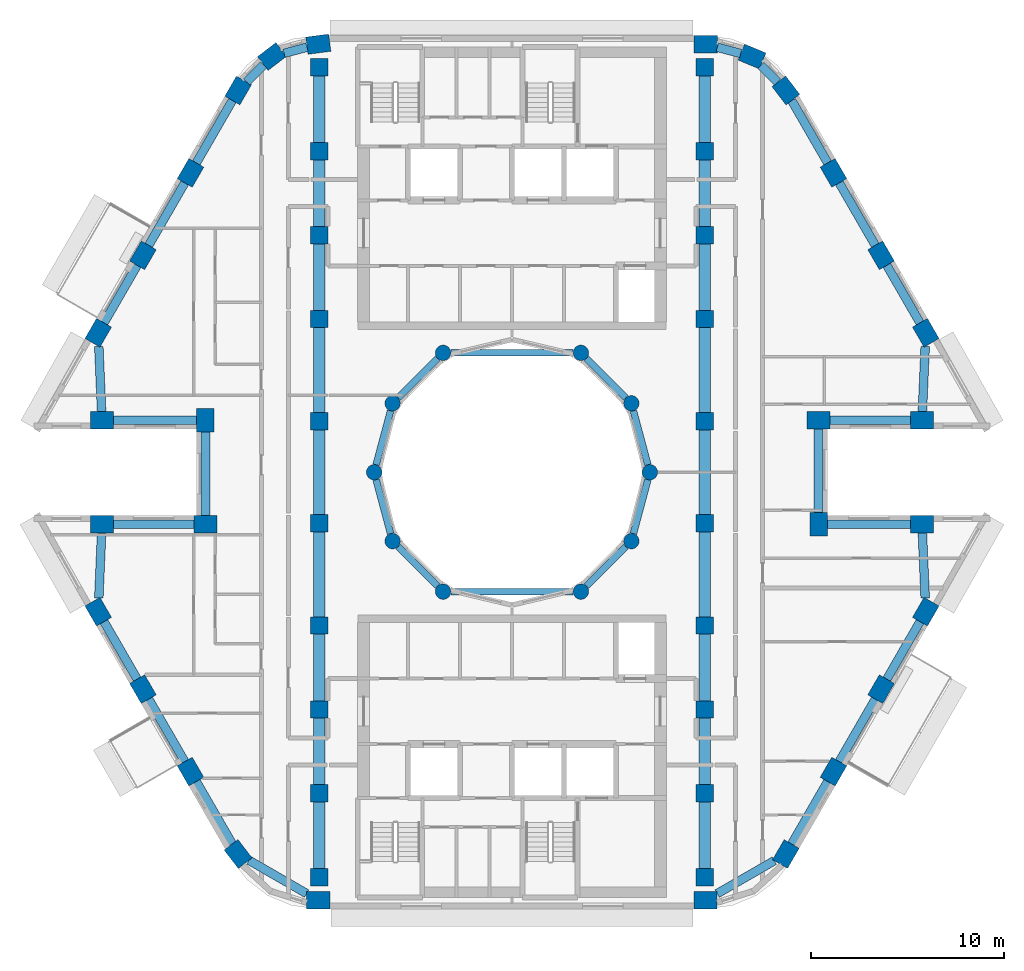
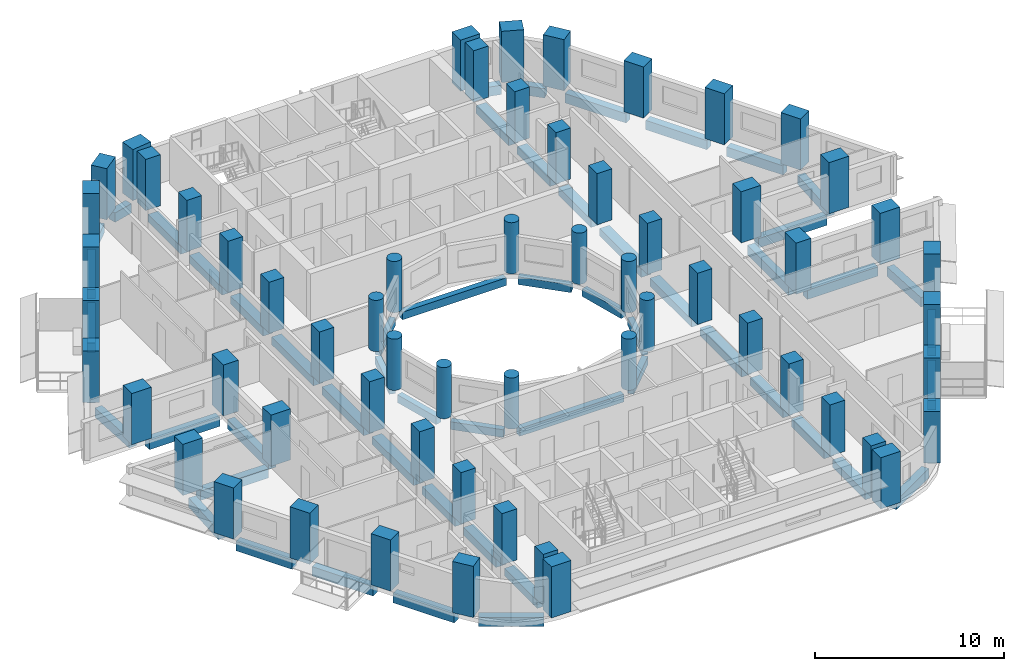
# One storey, part 1 of 17: 60 columns, 56 beams.
"""IFC4 building model written with IfcOpenShell, lengths in metres."""

import ifcopenshell
import ifcopenshell.guid

model = None  # the IFC model being written
_history = None  # IfcOwnerHistory: only IFC2X3 demands one
_inside = {}  # id of a spatial element -> (the spatial element, [elements in it])
_under = {}  # id of a project, library or spatial element -> (it, [spatial elements below it])
_declared = {}  # id of a project -> (the project, [libraries it declares])
_typed = {}  # id of a type object -> (the type object, [elements of that type])
_made_of = {}  # id of a material, layer set ... -> (it, [elements and type objects made of it])


def new_model(schema):
    """Start an empty IFC model of exactly this schema.

    Asked for "IFC4X3", IfcOpenShell would pick the latest addendum, in which some entities
    have other attributes; the version numbers below select the first issue.
    IFC2X3 requires an IfcOwnerHistory on every rooted entity: one is made here for all.
    """
    global model, _history
    if schema == "IFC4X3":
        model = ifcopenshell.file(schema_version=(4, 3, 0, 0))
    else:
        model = ifcopenshell.file(schema=schema)
    _inside.clear()
    _under.clear()
    _declared.clear()
    _typed.clear()
    _made_of.clear()
    _history = None
    if model.schema == "IFC2X3":
        org = make("IfcOrganization", Name="unknown")
        user = make(
            "IfcPersonAndOrganization",
            ThePerson=make("IfcPerson", FamilyName="unknown"),
            TheOrganization=org,
        )
        app = make(
            "IfcApplication",
            ApplicationDeveloper=org,
            Version="unknown",
            ApplicationFullName="unknown",
            ApplicationIdentifier="unknown",
        )
        _history = make(
            "IfcOwnerHistory",
            OwningUser=user,
            OwningApplication=app,
            ChangeAction="ADDED",
            CreationDate=0,
        )
    return model


def make(cls, **values):
    """One entity of the class cls with the attributes given. An attribute that is None is left unset."""
    return model.create_entity(
        cls, **{name: value for name, value in values.items() if value is not None}
    )


def rooted(cls, **values):
    """An entity with a GlobalId (a new one), such as an element, a storey or a relation."""
    return make(cls, GlobalId=ifcopenshell.guid.new(), OwnerHistory=_history, **values)


def si_unit(unit_type, name, prefix=None):
    """IfcSIUnit, for example si_unit("LENGTHUNIT", "METRE", prefix="MILLI")."""
    return make("IfcSIUnit", UnitType=unit_type, Prefix=prefix, Name=name)


def assignment(units):
    """IfcUnitAssignment: the units of a project."""
    return None if units is None else make("IfcUnitAssignment", Units=units)


def point(xyz):
    """IfcCartesianPoint."""
    return None if xyz is None else make("IfcCartesianPoint", Coordinates=xyz)


def direction(xyz):
    """IfcDirection."""
    return None if xyz is None else make("IfcDirection", DirectionRatios=xyz)


def frame(location, z_axis=None, x_axis=None):
    """IfcAxis2Placement3D, a coordinate frame: its origin and axes. An axis left out is left unset."""
    return make(
        "IfcAxis2Placement3D",
        Location=point(location),
        Axis=direction(z_axis),
        RefDirection=direction(x_axis),
    )


def frame_2d(location, x_axis=None):
    """IfcAxis2Placement2D, a coordinate frame in the plane: its origin and x axis."""
    return make(
        "IfcAxis2Placement2D", Location=point(location), RefDirection=direction(x_axis)
    )


def origin():
    """The frame at (0, 0, 0) with its axes left unset."""
    return frame((0.0, 0.0, 0.0))


def origin_2d():
    """The frame at (0, 0) in the plane with its x axis left unset."""
    return frame_2d((0.0, 0.0))


def place(relative_to, where):
    """IfcLocalPlacement: puts the frame where relative to a parent placement (None: the world)."""
    return make(
        "IfcLocalPlacement", PlacementRelTo=relative_to, RelativePlacement=where
    )


def context(
    kind, dimensions, precision=None, world=None, true_north=None, identifier=None
):
    """IfcGeometricRepresentationContext, for example the 3D "Model" context."""
    return make(
        "IfcGeometricRepresentationContext",
        ContextIdentifier=identifier,
        ContextType=kind,
        CoordinateSpaceDimension=dimensions,
        Precision=precision,
        WorldCoordinateSystem=world,
        TrueNorth=true_north,
    )


def subcontext(parent, identifier, kind, view, scale=None):
    """IfcGeometricRepresentationSubContext, for example "Body" below "Model"."""
    return make(
        "IfcGeometricRepresentationSubContext",
        ContextIdentifier=identifier,
        ContextType=kind,
        ParentContext=parent,
        TargetScale=scale,
        TargetView=view,
    )


def project(units=None, contexts=None):
    """IfcProject with its units and contexts."""
    return rooted(
        "IfcProject",
        Name="project",
        RepresentationContexts=contexts,
        UnitsInContext=assignment(units),
    )


def spatial(cls, under=None, at=None, **own):
    """A site, building, storey or space (cls), placed at a placement, below another one or the project."""
    s = rooted(cls, ObjectPlacement=at, **own)
    if under is not None:
        _under.setdefault(under.id(), (under, []))[1].append(s)
    return s


def profile(cls, at=None, kind="AREA", **sizes):
    """A parametric profile (cls). Its sizes go by their IFC names, for example OverallWidth=200.0."""
    return make(cls, ProfileType=kind, Position=at, **sizes)


def rectangle(**sizes):
    """IfcRectangleProfileDef."""
    return profile("IfcRectangleProfileDef", **sizes)


def circle(**sizes):
    """IfcCircleProfileDef."""
    return profile("IfcCircleProfileDef", **sizes)


def extrude(swept, where, along, depth):
    """IfcExtrudedAreaSolid: the profile swept, set in the frame where, extruded along a direction by depth."""
    return make(
        "IfcExtrudedAreaSolid",
        SweptArea=swept,
        Position=where,
        ExtrudedDirection=direction(along),
        Depth=depth,
    )


def shape(context_of_items, identifier, shape_type, items):
    """IfcShapeRepresentation: the items that make up one representation, for example the "Body"."""
    return make(
        "IfcShapeRepresentation",
        ContextOfItems=context_of_items,
        RepresentationIdentifier=identifier,
        RepresentationType=shape_type,
        Items=items,
    )


def material(Name=None, Category=None):
    """IfcMaterial."""
    return make("IfcMaterial", Name=Name, Category=Category)


def material_profile(
    of_material, cross_section, Name=None, Category=None, Priority=None
):
    """IfcMaterialProfile: a cross section and its material."""
    return make(
        "IfcMaterialProfile",
        Name=Name,
        Material=of_material,
        Profile=cross_section,
        Priority=Priority,
        Category=Category,
    )


def profile_set(profiles, Name=None, composite=None):
    """IfcMaterialProfileSet."""
    return make(
        "IfcMaterialProfileSet",
        Name=Name,
        MaterialProfiles=profiles,
        CompositeProfile=composite,
    )


def made_of(thing, what):
    """Note that an element or type object is made of a material, layer set ...; save() writes the relation."""
    if what is not None:
        _made_of.setdefault(what.id(), (what, []))[1].append(thing)
    return thing


def type_object(cls, material=None, **own):
    """A type object (cls), such as IfcWallType, which elements share."""
    return made_of(rooted(cls, **own), material)


def element(
    cls,
    number,
    at=None,
    inside=None,
    cuts=None,
    type_object=None,
    material=None,
    context=None,
    identifier="Body",
    shape_type=None,
    held_by="IfcProductDefinitionShape",
    body=None,
    shapes=None,
    **own,
):
    """One element of the class cls, such as IfcWall. Its Tag is "e" and its number.

    at: its placement. inside: the storey or other place that contains it. cuts: it is an
    opening in that element (IfcRelVoidsElement). A single representation is given by context,
    identifier, shape_type and body (its items); several are given by shapes. held_by: the class
    of the entity that holds the representations. save() writes the other relations.
    """
    e = rooted(cls, Tag="e%d" % number, ObjectPlacement=at, **own)
    if body is not None:
        shapes = [shape(context, identifier, shape_type, body)]
    if shapes is not None:
        e.Representation = make(held_by, Representations=shapes)
    if inside is not None:
        _inside.setdefault(inside.id(), (inside, []))[1].append(e)
    if cuts is not None:
        rooted(
            "IfcRelVoidsElement", RelatingBuildingElement=cuts, RelatedOpeningElement=e
        )
    if type_object is not None:
        _typed.setdefault(type_object.id(), (type_object, []))[1].append(e)
    return made_of(e, material)


def aggregate(whole, parts):
    """IfcRelAggregates: a whole, such as a stair, and the parts it consists of."""
    return rooted("IfcRelAggregates", RelatingObject=whole, RelatedObjects=parts)


def save(model, path):
    """Write the relations noted so far, then the file.

    IfcRelAggregates (storeys below a building ...), IfcRelContainedInSpatialStructure (elements
    in a storey), IfcRelDefinesByType, IfcRelAssociatesMaterial and IfcRelDeclares: one each for
    every whole, place, type object, material and project.
    """
    for whole, parts in _under.values():
        aggregate(whole, parts)
    for where, things in _inside.values():
        rooted(
            "IfcRelContainedInSpatialStructure",
            RelatedElements=things,
            RelatingStructure=where,
        )
    for kind, things in _typed.values():
        rooted("IfcRelDefinesByType", RelatedObjects=things, RelatingType=kind)
    for what, things in _made_of.values():
        rooted("IfcRelAssociatesMaterial", RelatedObjects=things, RelatingMaterial=what)
    for by, libraries in _declared.values():
        rooted("IfcRelDeclares", RelatingContext=by, RelatedDefinitions=libraries)
    model.write(path)


model = new_model("IFC4")

# Units and contexts
model_context = context("Model", 3, precision=1e-05, world=origin(), true_north=direction((0.0, 1.0)))
body_context = subcontext(model_context, "Body", "Model", "MODEL_VIEW")
ifc_project = project(units=[si_unit("LENGTHUNIT", "METRE"), si_unit("AREAUNIT", "SQUARE_METRE"), si_unit("VOLUMEUNIT", "CUBIC_METRE"), si_unit("PLANEANGLEUNIT", "RADIAN"), si_unit("MASSUNIT", "GRAM", prefix="KILO")], contexts=[model_context])

# Site, building, storey
site_placement = place(None, origin())
site = spatial("IfcSite", under=ifc_project, at=site_placement, CompositionType="ELEMENT")
building_placement = place(site_placement, origin())
building = spatial("IfcBuilding", under=site, at=building_placement, Name="Nakaniwa Court", CompositionType="ELEMENT")
storey_placement = place(building_placement, frame((0.0, 0.0, 206.39990234375)))
storey = spatial("IfcBuildingStorey", under=building, at=storey_placement, Name="L54", CompositionType="ELEMENT", Elevation=206.39990234375)

# Columns
ifc_material = material(Name="Concrete C80/100", Category="concrete")
ifc_material_profile_1 = material_profile(ifc_material, rectangle(XDim=1.199951171875, YDim=0.89990234375, at=origin_2d()), Name="Concrete C80/100 RC 1200x900 perimeter column")
ifc_profile_set_1 = profile_set([ifc_material_profile_1], Name="Concrete C80/100")
column_type_1 = type_object("IfcColumnType", Name="Concrete C80/100 RC 1200x900 perimeter column", PredefinedType="COLUMN", material=ifc_profile_set_1)
for number, where, z_axis, x_axis, name in (
    (1, (69.95458984375, 102.199951171875, 0.0), (0.0, 0.0, 1.0), (-0.991442583111, -0.130543496177, 0.0), "COLUMN CO-01"),
    (2, (67.552001953125, 101.560302734375, 0.0), (0.0, 0.0, 1.0), (-0.793363965062, -0.608747582288, 0.0), "COLUMN CO-02"),
    (3, (65.796875, 99.799560546875, 0.0), (0.0, 0.0, 1.0), (-0.5, -0.866025403784, 0.0), "COLUMN CO-03"),
    (4, (63.328857421875, 95.524658203125, 0.0), (0.0, 0.0, 1.0), (-0.5, -0.866025403784, 0.0), "COLUMN CO-04"),
    (5, (60.860595703125, 91.249755859375, 0.0), (0.0, 0.0, 1.0), (-0.5, -0.866025403784, 0.0), "COLUMN CO-05"),
    (6, (58.541015625, 87.232177734375, 0.0), (0.0, 0.0, 1.0), (-0.5, -0.866025403784, 0.0), "COLUMN CO-06"),
    (7, (58.736083984375, 82.699951171875, 0.0), (0.0, 0.0, 1.0), (1.0, 0.0, 0.0), "COLUMN CO-08"),
    (8, (64.1005859375, 82.699951171875, 0.0), (0.0, 0.0, 1.0), (0.0, -1.0, 0.0), "COLUMN CO-09"),
    (9, (64.1005859375, 77.300048828125, 0.0), (0.0, 0.0, 1.0), (-1.0, 0.0, 0.0), "COLUMN CO-10"),
    (10, (58.736083984375, 77.300048828125, 0.0), (0.0, 0.0, 1.0), (-1.0, 0.0, 0.0), "COLUMN CO-11"),
    (11, (58.541015625, 72.767822265625, 0.0), (0.0, 0.0, 1.0), (0.5, -0.866025403784, 0.0), "COLUMN CO-13"),
    (12, (60.860595703125, 68.750244140625, 0.0), (0.0, 0.0, 1.0), (0.5, -0.866025403784, 0.0), "COLUMN CO-14"),
    (13, (63.328857421875, 64.475341796875, 0.0), (0.0, 0.0, 1.0), (0.5, -0.866025403784, 0.0), "COLUMN CO-15"),
    (14, (65.796875, 60.200439453125, 0.0), (0.0, 0.0, 1.0), (0.608761429009, -0.793353340291, 0.0), "COLUMN CO-16"),
    (15, (69.95458984375, 57.800048828125, 0.0), (0.0, 0.0, 1.0), (1.0, 0.0, 0.0), "COLUMN CO-17"),
    (16, (90.03955078125, 57.800048828125, 0.0), (0.0, 0.0, 1.0), (1.0, 0.0, 0.0), "COLUMN CO-21"),
    (17, (94.203125, 60.200439453125, 0.0), (0.0, 0.0, 1.0), (0.5, 0.866025403784, 0.0), "COLUMN CO-22"),
    (18, (96.671142578125, 64.475341796875, 0.0), (0.0, 0.0, 1.0), (0.5, 0.866025403784, 0.0), "COLUMN CO-23"),
    (19, (99.139404296875, 68.750244140625, 0.0), (0.0, 0.0, 1.0), (0.5, 0.866025403784, 0.0), "COLUMN CO-24"),
    (20, (101.458984375, 72.767822265625, 0.0), (0.0, 0.0, 1.0), (0.5, 0.866025403784, 0.0), "COLUMN CO-25"),
    (21, (101.263916015625, 77.300048828125, 0.0), (0.0, 0.0, 1.0), (-1.0, 0.0, 0.0), "COLUMN CO-27"),
    (22, (95.8994140625, 77.300048828125, 0.0), (0.0, 0.0, 1.0), (0.0, 1.0, 0.0), "COLUMN CO-28"),
    (23, (95.8994140625, 82.699951171875, 0.0), (0.0, 0.0, 1.0), (1.0, 0.0, 0.0), "COLUMN CO-29"),
    (24, (101.263916015625, 82.699951171875, 0.0), (0.0, 0.0, 1.0), (1.0, 0.0, 0.0), "COLUMN CO-30"),
    (25, (101.458984375, 87.232177734375, 0.0), (0.0, 0.0, 1.0), (-0.5, 0.866025403784, 0.0), "COLUMN CO-32"),
    (26, (99.139404296875, 91.249755859375, 0.0), (0.0, 0.0, 1.0), (-0.5, 0.866025403784, 0.0), "COLUMN CO-33"),
    (27, (96.671142578125, 95.524658203125, 0.0), (0.0, 0.0, 1.0), (-0.5, 0.866025403784, 0.0), "COLUMN CO-34"),
    (28, (94.203125, 99.799560546875, 0.0), (0.0, 0.0, 1.0), (-0.608761429009, 0.793353340291, 0.0), "COLUMN CO-35"),
    (29, (92.447998046875, 101.560302734375, 0.0), (0.0, 0.0, 1.0), (-0.923879532511, 0.382683432365, 0.0), "COLUMN CO-36"),
    (30, (90.04541015625, 102.199951171875, 0.0), (0.0, 0.0, 1.0), (-1.0, 0.0, 0.0), "COLUMN CO-37"),
):
    element("IfcColumn", number, at=place(storey_placement, frame(where, z_axis=z_axis, x_axis=x_axis)), inside=storey, type_object=column_type_1, Name=name, PredefinedType="COLUMN", context=body_context, shape_type="SweptSolid", body=[
        extrude(rectangle(XDim=1.199951171875, YDim=0.89990234375, at=origin_2d()), origin(), (0.0, 0.0, 1.0), 3.300048828125),
    ])
ifc_material_profile_2 = material_profile(ifc_material, rectangle(XDim=0.89990234375, YDim=0.89990234375, at=origin_2d()), Name="Concrete C80/100 RC 900x900 spine column")
ifc_profile_set_2 = profile_set([ifc_material_profile_2], Name="Concrete C80/100")
column_type_2 = type_object("IfcColumnType", Name="Concrete C80/100 RC 900x900 spine column", PredefinedType="COLUMN", material=ifc_profile_set_2)
for number, where, z_axis, x_axis, name in (
    (31, (90.0, 59.0, 0.0), (0.0, 0.0, 1.0), (0.0, 1.0, 0.0), "COLUMN CS-01"),
    (32, (90.0, 63.35009765625, 0.0), (0.0, 0.0, 1.0), (0.0, 1.0, 0.0), "COLUMN CS-02"),
    (33, (90.0, 67.699951171875, 0.0), (0.0, 0.0, 1.0), (0.0, 1.0, 0.0), "COLUMN CS-03"),
    (34, (90.0, 72.050048828125, 0.0), (0.0, 0.0, 1.0), (0.0, 1.0, 0.0), "COLUMN CS-04"),
    (35, (90.0, 77.35009765625, 0.0), (0.0, 0.0, 1.0), (0.0, 1.0, 0.0), "COLUMN CS-05"),
    (36, (90.0, 82.64990234375, 0.0), (0.0, 0.0, 1.0), (0.0, 1.0, 0.0), "COLUMN CS-06"),
    (37, (90.0, 87.949951171875, 0.0), (0.0, 0.0, 1.0), (0.0, 1.0, 0.0), "COLUMN CS-07"),
    (38, (90.0, 92.300048828125, 0.0), (0.0, 0.0, 1.0), (0.0, 1.0, 0.0), "COLUMN CS-08"),
    (39, (90.0, 96.64990234375, 0.0), (0.0, 0.0, 1.0), (0.0, 1.0, 0.0), "COLUMN CS-09"),
    (40, (90.0, 101.0, 0.0), (0.0, 0.0, 1.0), (0.0, 1.0, 0.0), "COLUMN CS-10"),
    (41, (70.0, 101.0, 0.0), (0.0, 0.0, 1.0), (0.0, -1.0, 0.0), "COLUMN CS-11"),
    (42, (70.0, 96.64990234375, 0.0), (0.0, 0.0, 1.0), (0.0, -1.0, 0.0), "COLUMN CS-12"),
    (43, (70.0, 92.300048828125, 0.0), (0.0, 0.0, 1.0), (0.0, -1.0, 0.0), "COLUMN CS-13"),
    (44, (70.0, 87.949951171875, 0.0), (0.0, 0.0, 1.0), (0.0, -1.0, 0.0), "COLUMN CS-14"),
    (45, (70.0, 82.64990234375, 0.0), (0.0, 0.0, 1.0), (0.0, -1.0, 0.0), "COLUMN CS-15"),
    (46, (70.0, 77.35009765625, 0.0), (0.0, 0.0, 1.0), (0.0, -1.0, 0.0), "COLUMN CS-16"),
    (47, (70.0, 72.050048828125, 0.0), (0.0, 0.0, 1.0), (0.0, -1.0, 0.0), "COLUMN CS-17"),
    (48, (70.0, 67.699951171875, 0.0), (0.0, 0.0, 1.0), (0.0, -1.0, 0.0), "COLUMN CS-18"),
    (49, (70.0, 63.35009765625, 0.0), (0.0, 0.0, 1.0), (0.0, -1.0, 0.0), "COLUMN CS-19"),
    (50, (70.0, 59.0, 0.0), (0.0, 0.0, 1.0), (0.0, -1.0, 0.0), "COLUMN CS-20"),
):
    element("IfcColumn", number, at=place(storey_placement, frame(where, z_axis=z_axis, x_axis=x_axis)), inside=storey, type_object=column_type_2, Name=name, PredefinedType="COLUMN", context=body_context, shape_type="SweptSolid", body=[
        extrude(rectangle(XDim=0.89990234375, YDim=0.89990234375, at=origin_2d()), origin(), (0.0, 0.0, 1.0), 3.300048828125),
    ])
ifc_material_profile_3 = material_profile(ifc_material, circle(Radius=0.39990234375, at=origin_2d()), Name="Concrete C80/100 RC D800 inner ring column")
ifc_profile_set_3 = profile_set([ifc_material_profile_3], Name="Concrete C80/100")
column_type_3 = type_object("IfcColumnType", Name="Concrete C80/100 RC D800 inner ring column", PredefinedType="COLUMN", material=ifc_profile_set_3)
for number, where, z_axis, x_axis, name in (
    (51, (87.14990234375, 80.0, 0.0), (0.0, 0.0, 1.0), (0.0, 1.0, 0.0), "COLUMN CI-01"),
    (52, (86.192138671875, 83.574951171875, 0.0), (0.0, 0.0, 1.0), (-0.5, 0.866025403784, 0.0), "COLUMN CI-02"),
    (53, (83.574951171875, 86.192138671875, 0.0), (0.0, 0.0, 1.0), (-0.866025403784, 0.5, 0.0), "COLUMN CI-03"),
    (54, (76.425048828125, 86.192138671875, 0.0), (0.0, 0.0, 1.0), (-0.866025403784, -0.5, 0.0), "COLUMN CI-05"),
    (55, (73.807861328125, 83.574951171875, 0.0), (0.0, 0.0, 1.0), (-0.5, -0.866025403784, 0.0), "COLUMN CI-06"),
    (56, (72.85009765625, 80.0, 0.0), (0.0, 0.0, 1.0), (0.0, -1.0, 0.0), "COLUMN CI-07"),
    (57, (73.807861328125, 76.425048828125, 0.0), (0.0, 0.0, 1.0), (0.5, -0.866025403784, 0.0), "COLUMN CI-08"),
    (58, (76.425048828125, 73.807861328125, 0.0), (0.0, 0.0, 1.0), (0.866025403784, -0.5, 0.0), "COLUMN CI-09"),
    (59, (83.574951171875, 73.807861328125, 0.0), (0.0, 0.0, 1.0), (0.866025403784, 0.5, 0.0), "COLUMN CI-11"),
    (60, (86.192138671875, 76.425048828125, 0.0), (0.0, 0.0, 1.0), (0.5, 0.866025403784, 0.0), "COLUMN CI-12"),
):
    element("IfcColumn", number, at=place(storey_placement, frame(where, z_axis=z_axis, x_axis=x_axis)), inside=storey, type_object=column_type_3, Name=name, PredefinedType="COLUMN", context=body_context, shape_type="SweptSolid", body=[
        extrude(circle(Radius=0.39990234375, at=origin_2d()), origin(), (0.0, 0.0, 1.0), 3.300048828125),
    ])

# Beams
ifc_material_profile_4 = material_profile(ifc_material, rectangle(XDim=0.35009765625, YDim=0.5, at=origin_2d()), Name="Concrete C80/100 RC 350x500 ring beam")
ifc_profile_set_4 = profile_set([ifc_material_profile_4], Name="Concrete C80/100")
beam_type_1 = type_object("IfcBeamType", Name="Concrete C80/100 RC 350x500 ring beam", PredefinedType="BEAM", material=ifc_profile_set_4)
beam_1_placement = place(storey_placement, frame((87.04638671875, 80.386474609375, -0.52490234375), z_axis=(-0.258778150207, 0.965936783115, 0.0), x_axis=(-0.965936783115, -0.258778150207, 0.0)))
element("IfcBeam", 61, at=beam_1_placement, inside=storey, type_object=beam_type_1, Name="RING BEAM", PredefinedType="BEAM", context=body_context, shape_type="SweptSolid", body=[
    extrude(rectangle(XDim=0.35009765625, YDim=0.5, at=origin_2d()), origin(), (0.0, 0.0, 1.0), 2.901123046875),
])
beam_2_placement = place(storey_placement, frame((85.9091796875, 83.85791015625, -0.52490234375), z_axis=(-0.707106781187, 0.707106781187, 0.0), x_axis=(-0.707106781187, -0.707106781187, 0.0)))
element("IfcBeam", 62, at=beam_2_placement, inside=storey, type_object=beam_type_1, Name="RING BEAM", PredefinedType="BEAM", context=body_context, shape_type="SweptSolid", body=[
    extrude(rectangle(XDim=0.35009765625, YDim=0.5, at=origin_2d()), origin(), (0.0, 0.0, 1.0), 2.90087890625),
])
beam_3_placement = place(storey_placement, frame((83.175048828125, 86.192138671875, -0.52490234375), z_axis=(-1.0, 0.0, 0.0), x_axis=(0.0, -1.0, 0.0)))
element("IfcBeam", 63, at=beam_3_placement, inside=storey, type_object=beam_type_1, Name="RING BEAM", PredefinedType="BEAM", context=body_context, shape_type="SweptSolid", body=[
    extrude(rectangle(XDim=0.35009765625, YDim=0.5, at=origin_2d()), origin(), (0.0, 0.0, 1.0), 6.35009765625),
])
beam_4_placement = place(storey_placement, frame((76.14208984375, 85.9091796875, -0.52490234375), z_axis=(-0.707106781187, -0.707106781187, 0.0), x_axis=(0.707106781187, -0.707106781187, 0.0)))
element("IfcBeam", 64, at=beam_4_placement, inside=storey, type_object=beam_type_1, Name="RING BEAM", PredefinedType="BEAM", context=body_context, shape_type="SweptSolid", body=[
    extrude(rectangle(XDim=0.35009765625, YDim=0.5, at=origin_2d()), origin(), (0.0, 0.0, 1.0), 2.90087890625),
])
for number, where, z_axis, x_axis, name in (
    (65, (73.704345703125, 83.188720703125, -0.52490234375), (-0.258778150207, -0.965936783115, 0.0), (0.965936783115, -0.258778150207, 0.0), "RING BEAM"),
    (66, (72.95361328125, 79.613525390625, -0.52490234375), (0.258778150207, -0.965936783115, 0.0), (0.965936783115, 0.258778150207, 0.0), "RING BEAM"),
):
    element("IfcBeam", number, at=place(storey_placement, frame(where, z_axis=z_axis, x_axis=x_axis)), inside=storey, type_object=beam_type_1, Name=name, PredefinedType="BEAM", context=body_context, shape_type="SweptSolid", body=[
        extrude(rectangle(XDim=0.35009765625, YDim=0.5, at=origin_2d()), origin(), (0.0, 0.0, 1.0), 2.901123046875),
    ])
beam_5_placement = place(storey_placement, frame((74.0908203125, 76.14208984375, -0.52490234375), z_axis=(0.707106781187, -0.707106781187, 0.0), x_axis=(0.707106781187, 0.707106781187, 0.0)))
element("IfcBeam", 67, at=beam_5_placement, inside=storey, type_object=beam_type_1, Name="RING BEAM", PredefinedType="BEAM", context=body_context, shape_type="SweptSolid", body=[
    extrude(rectangle(XDim=0.35009765625, YDim=0.5, at=origin_2d()), origin(), (0.0, 0.0, 1.0), 2.90087890625),
])
beam_6_placement = place(storey_placement, frame((76.824951171875, 73.807861328125, -0.52490234375), z_axis=(1.0, 0.0, 0.0), x_axis=(0.0, 1.0, 0.0)))
element("IfcBeam", 68, at=beam_6_placement, inside=storey, type_object=beam_type_1, Name="RING BEAM", PredefinedType="BEAM", context=body_context, shape_type="SweptSolid", body=[
    extrude(rectangle(XDim=0.35009765625, YDim=0.5, at=origin_2d()), origin(), (0.0, 0.0, 1.0), 6.35009765625),
])
beam_7_placement = place(storey_placement, frame((83.85791015625, 74.0908203125, -0.52490234375), z_axis=(0.707106781187, 0.707106781187, 0.0), x_axis=(-0.707106781187, 0.707106781187, 0.0)))
element("IfcBeam", 69, at=beam_7_placement, inside=storey, type_object=beam_type_1, Name="RING BEAM", PredefinedType="BEAM", context=body_context, shape_type="SweptSolid", body=[
    extrude(rectangle(XDim=0.35009765625, YDim=0.5, at=origin_2d()), origin(), (0.0, 0.0, 1.0), 2.90087890625),
])
beam_8_placement = place(storey_placement, frame((86.295654296875, 76.811279296875, -0.52490234375), z_axis=(0.258778150207, 0.965936783115, 0.0), x_axis=(-0.965936783115, 0.258778150207, 0.0)))
element("IfcBeam", 70, at=beam_8_placement, inside=storey, type_object=beam_type_1, Name="RING BEAM", PredefinedType="BEAM", context=body_context, shape_type="SweptSolid", body=[
    extrude(rectangle(XDim=0.35009765625, YDim=0.5, at=origin_2d()), origin(), (0.0, 0.0, 1.0), 2.901123046875),
])
ifc_material_profile_5 = material_profile(ifc_material, rectangle(XDim=0.449951171875, YDim=0.60009765625, at=origin_2d()), Name="Concrete C80/100 RC 450x600 spandrel beam")
ifc_profile_set_5 = profile_set([ifc_material_profile_5], Name="Concrete C80/100")
beam_type_2 = type_object("IfcBeamType", Name="Concrete C80/100 RC 450x600 spandrel beam", PredefinedType="BEAM", material=ifc_profile_set_5)
beam_9_placement = place(storey_placement, frame((69.3701171875, 102.044189453125, -0.574951171875), z_axis=(-0.966320442624, -0.257341800272, 0.0), x_axis=(0.257341800272, -0.966320442624, 0.0)))
element("IfcBeam", 71, at=beam_9_placement, inside=storey, type_object=beam_type_2, Name="SPANDREL BEAM", PredefinedType="BEAM", context=body_context, shape_type="SweptSolid", body=[
    extrude(rectangle(XDim=0.449951171875, YDim=0.60009765625, at=origin_2d()), origin(), (0.0, 0.0, 1.0), 1.2314453125),
])
beam_10_placement = place(storey_placement, frame((67.124755859375, 101.131591796875, -0.574951171875), z_axis=(-0.705943141011, -0.708268509578, 0.0), x_axis=(0.708268509578, -0.705943141011, 0.0)))
element("IfcBeam", 72, at=beam_10_placement, inside=storey, type_object=beam_type_2, Name="SPANDREL BEAM", PredefinedType="BEAM", context=body_context, shape_type="SweptSolid", body=[
    extrude(rectangle(XDim=0.449951171875, YDim=0.60009765625, at=origin_2d()), origin(), (0.0, 0.0, 1.0), 1.259765625),
])
for number, where, z_axis, x_axis, name in (
    (73, (65.496826171875, 99.27978515625, -0.574951171875), (-0.499969460568, -0.866043035016, 0.0), (0.866043035016, -0.499969460568, 0.0), "SPANDREL BEAM"),
    (74, (63.02880859375, 95.0048828125, -0.574951171875), (-0.500018470369, -0.866014739649, 0.0), (0.866014739649, -0.500018470369, 0.0), "SPANDREL BEAM"),
):
    element("IfcBeam", number, at=place(storey_placement, frame(where, z_axis=z_axis, x_axis=x_axis)), inside=storey, type_object=beam_type_2, Name=name, PredefinedType="BEAM", context=body_context, shape_type="SweptSolid", body=[
        extrude(rectangle(XDim=0.449951171875, YDim=0.60009765625, at=origin_2d()), origin(), (0.0, 0.0, 1.0), 3.736083984375),
    ])
beam_11_placement = place(storey_placement, frame((60.560791015625, 90.72998046875, -0.574951171875), z_axis=(-0.500048133448, -0.865997612142, 0.0), x_axis=(0.865997612142, -0.500048133448, 0.0)))
element("IfcBeam", 75, at=beam_11_placement, inside=storey, type_object=beam_type_2, Name="SPANDREL BEAM", PredefinedType="BEAM", context=body_context, shape_type="SweptSolid", body=[
    extrude(rectangle(XDim=0.449951171875, YDim=0.60009765625, at=origin_2d()), origin(), (0.0, 0.0, 1.0), 3.439208984375),
])
beam_12_placement = place(storey_placement, frame((58.57177734375, 86.521728515625, -0.574951171875), z_axis=(0.042897265713, -0.999079488627, 0.0), x_axis=(0.999079488627, 0.042897265713, 0.0)))
element("IfcBeam", 76, at=beam_12_placement, inside=storey, type_object=beam_type_2, Name="SPANDREL BEAM", PredefinedType="BEAM", context=body_context, shape_type="SweptSolid", body=[
    extrude(rectangle(XDim=0.449951171875, YDim=0.60009765625, at=origin_2d()), origin(), (0.0, 0.0, 1.0), 3.375),
])
beam_13_placement = place(storey_placement, frame((59.3359375, 82.699951171875, -0.574951171875), z_axis=(1.0, 0.0, 0.0), x_axis=(0.0, 1.0, 0.0)))
element("IfcBeam", 77, at=beam_13_placement, inside=storey, type_object=beam_type_2, Name="SPANDREL BEAM", PredefinedType="BEAM", context=body_context, shape_type="SweptSolid", body=[
    extrude(rectangle(XDim=0.449951171875, YDim=0.60009765625, at=origin_2d()), origin(), (0.0, 0.0, 1.0), 4.314453125),
])
beam_14_placement = place(storey_placement, frame((64.1005859375, 82.10009765625, -0.574951171875), z_axis=(0.0, -1.0, 0.0), x_axis=(1.0, 0.0, 0.0)))
element("IfcBeam", 78, at=beam_14_placement, inside=storey, type_object=beam_type_2, Name="SPANDREL BEAM", PredefinedType="BEAM", context=body_context, shape_type="SweptSolid", body=[
    extrude(rectangle(XDim=0.449951171875, YDim=0.60009765625, at=origin_2d()), origin(), (0.0, 0.0, 1.0), 4.35009765625),
])
beam_15_placement = place(storey_placement, frame((63.50048828125, 77.300048828125, -0.574951171875), z_axis=(-1.0, 0.0, 0.0), x_axis=(0.0, -1.0, 0.0)))
element("IfcBeam", 79, at=beam_15_placement, inside=storey, type_object=beam_type_2, Name="SPANDREL BEAM", PredefinedType="BEAM", context=body_context, shape_type="SweptSolid", body=[
    extrude(rectangle(XDim=0.449951171875, YDim=0.60009765625, at=origin_2d()), origin(), (0.0, 0.0, 1.0), 4.16455078125),
])
beam_16_placement = place(storey_placement, frame((58.716552734375, 76.85009765625, -0.574951171875), z_axis=(-0.042897265713, -0.999079488627, 0.0), x_axis=(0.999079488627, -0.042897265713, 0.0)))
element("IfcBeam", 80, at=beam_16_placement, inside=storey, type_object=beam_type_2, Name="SPANDREL BEAM", PredefinedType="BEAM", context=body_context, shape_type="SweptSolid", body=[
    extrude(rectangle(XDim=0.449951171875, YDim=0.60009765625, at=origin_2d()), origin(), (0.0, 0.0, 1.0), 3.375),
])
beam_17_placement = place(storey_placement, frame((58.841064453125, 72.248291015625, -0.574951171875), z_axis=(0.500048133448, -0.865997612142, 0.0), x_axis=(0.865997612142, 0.500048133448, 0.0)))
element("IfcBeam", 81, at=beam_17_placement, inside=storey, type_object=beam_type_2, Name="SPANDREL BEAM", PredefinedType="BEAM", context=body_context, shape_type="SweptSolid", body=[
    extrude(rectangle(XDim=0.449951171875, YDim=0.60009765625, at=origin_2d()), origin(), (0.0, 0.0, 1.0), 3.439208984375),
])
beam_18_placement = place(storey_placement, frame((61.16064453125, 68.230712890625, -0.574951171875), z_axis=(0.500018470369, -0.866014739649, 0.0), x_axis=(0.866014739649, 0.500018470369, 0.0)))
element("IfcBeam", 82, at=beam_18_placement, inside=storey, type_object=beam_type_2, Name="SPANDREL BEAM", PredefinedType="BEAM", context=body_context, shape_type="SweptSolid", body=[
    extrude(rectangle(XDim=0.449951171875, YDim=0.60009765625, at=origin_2d()), origin(), (0.0, 0.0, 1.0), 3.736083984375),
])
beam_19_placement = place(storey_placement, frame((63.62890625, 63.955810546875, -0.574951171875), z_axis=(0.499988672538, -0.866031943599, 0.0), x_axis=(0.866031943599, 0.499988672538, 0.0)))
element("IfcBeam", 83, at=beam_19_placement, inside=storey, type_object=beam_type_2, Name="SPANDREL BEAM", PredefinedType="BEAM", context=body_context, shape_type="SweptSolid", body=[
    extrude(rectangle(XDim=0.449951171875, YDim=0.60009765625, at=origin_2d()), origin(), (0.0, 0.0, 1.0), 3.73095703125),
])
beam_20_placement = place(storey_placement, frame((66.359375, 59.875732421875, -0.574951171875), z_axis=(0.866041005548, -0.49997297598, 0.0), x_axis=(0.49997297598, 0.866041005548, 0.0)))
element("IfcBeam", 84, at=beam_20_placement, inside=storey, type_object=beam_type_2, Name="SPANDREL BEAM", PredefinedType="BEAM", context=body_context, shape_type="SweptSolid", body=[
    extrude(rectangle(XDim=0.449951171875, YDim=0.60009765625, at=origin_2d()), origin(), (0.0, 0.0, 1.0), 3.458740234375),
])
beam_21_placement = place(storey_placement, frame((90.639404296875, 58.14599609375, -0.574951171875), z_axis=(0.866361397704, 0.499417589367, 0.0), x_axis=(-0.499417589367, 0.866361397704, 0.0)))
element("IfcBeam", 85, at=beam_21_placement, inside=storey, type_object=beam_type_2, Name="SPANDREL BEAM", PredefinedType="BEAM", context=body_context, shape_type="SweptSolid", body=[
    extrude(rectangle(XDim=0.449951171875, YDim=0.60009765625, at=origin_2d()), origin(), (0.0, 0.0, 1.0), 3.42041015625),
])
for number, where, z_axis, x_axis, name in (
    (86, (94.503173828125, 60.72021484375, -0.574951171875), (0.499969460568, 0.866043035016, 0.0), (-0.866043035016, 0.499969460568, 0.0), "SPANDREL BEAM"),
    (87, (96.97119140625, 64.9951171875, -0.574951171875), (0.500018470369, 0.866014739649, 0.0), (-0.866014739649, 0.500018470369, 0.0), "SPANDREL BEAM"),
):
    element("IfcBeam", number, at=place(storey_placement, frame(where, z_axis=z_axis, x_axis=x_axis)), inside=storey, type_object=beam_type_2, Name=name, PredefinedType="BEAM", context=body_context, shape_type="SweptSolid", body=[
        extrude(rectangle(XDim=0.449951171875, YDim=0.60009765625, at=origin_2d()), origin(), (0.0, 0.0, 1.0), 3.736083984375),
    ])
beam_22_placement = place(storey_placement, frame((99.439208984375, 69.27001953125, -0.574951171875), z_axis=(0.500048133448, 0.865997612142, 0.0), x_axis=(-0.865997612142, 0.500048133448, 0.0)))
element("IfcBeam", 88, at=beam_22_placement, inside=storey, type_object=beam_type_2, Name="SPANDREL BEAM", PredefinedType="BEAM", context=body_context, shape_type="SweptSolid", body=[
    extrude(rectangle(XDim=0.449951171875, YDim=0.60009765625, at=origin_2d()), origin(), (0.0, 0.0, 1.0), 3.439208984375),
])
beam_23_placement = place(storey_placement, frame((101.42822265625, 73.478271484375, -0.574951171875), z_axis=(-0.042897265713, 0.999079488627, 0.0), x_axis=(-0.999079488627, -0.042897265713, 0.0)))
element("IfcBeam", 89, at=beam_23_placement, inside=storey, type_object=beam_type_2, Name="SPANDREL BEAM", PredefinedType="BEAM", context=body_context, shape_type="SweptSolid", body=[
    extrude(rectangle(XDim=0.449951171875, YDim=0.60009765625, at=origin_2d()), origin(), (0.0, 0.0, 1.0), 3.375),
])
beam_24_placement = place(storey_placement, frame((100.6640625, 77.300048828125, -0.574951171875), z_axis=(-1.0, 0.0, 0.0), x_axis=(0.0, -1.0, 0.0)))
element("IfcBeam", 90, at=beam_24_placement, inside=storey, type_object=beam_type_2, Name="SPANDREL BEAM", PredefinedType="BEAM", context=body_context, shape_type="SweptSolid", body=[
    extrude(rectangle(XDim=0.449951171875, YDim=0.60009765625, at=origin_2d()), origin(), (0.0, 0.0, 1.0), 4.314453125),
])
beam_25_placement = place(storey_placement, frame((95.8994140625, 77.89990234375, -0.574951171875), z_axis=(0.0, 1.0, 0.0), x_axis=(-1.0, 0.0, 0.0)))
element("IfcBeam", 91, at=beam_25_placement, inside=storey, type_object=beam_type_2, Name="SPANDREL BEAM", PredefinedType="BEAM", context=body_context, shape_type="SweptSolid", body=[
    extrude(rectangle(XDim=0.449951171875, YDim=0.60009765625, at=origin_2d()), origin(), (0.0, 0.0, 1.0), 4.35009765625),
])
beam_26_placement = place(storey_placement, frame((96.49951171875, 82.699951171875, -0.574951171875), z_axis=(1.0, 0.0, 0.0), x_axis=(0.0, 1.0, 0.0)))
element("IfcBeam", 92, at=beam_26_placement, inside=storey, type_object=beam_type_2, Name="SPANDREL BEAM", PredefinedType="BEAM", context=body_context, shape_type="SweptSolid", body=[
    extrude(rectangle(XDim=0.449951171875, YDim=0.60009765625, at=origin_2d()), origin(), (0.0, 0.0, 1.0), 4.16455078125),
])
beam_27_placement = place(storey_placement, frame((101.283447265625, 83.14990234375, -0.574951171875), z_axis=(0.042897265713, 0.999079488627, 0.0), x_axis=(-0.999079488627, 0.042897265713, 0.0)))
element("IfcBeam", 93, at=beam_27_placement, inside=storey, type_object=beam_type_2, Name="SPANDREL BEAM", PredefinedType="BEAM", context=body_context, shape_type="SweptSolid", body=[
    extrude(rectangle(XDim=0.449951171875, YDim=0.60009765625, at=origin_2d()), origin(), (0.0, 0.0, 1.0), 3.375),
])
beam_28_placement = place(storey_placement, frame((101.158935546875, 87.751708984375, -0.574951171875), z_axis=(-0.500048133448, 0.865997612142, 0.0), x_axis=(-0.865997612142, -0.500048133448, 0.0)))
element("IfcBeam", 94, at=beam_28_placement, inside=storey, type_object=beam_type_2, Name="SPANDREL BEAM", PredefinedType="BEAM", context=body_context, shape_type="SweptSolid", body=[
    extrude(rectangle(XDim=0.449951171875, YDim=0.60009765625, at=origin_2d()), origin(), (0.0, 0.0, 1.0), 3.439208984375),
])
beam_29_placement = place(storey_placement, frame((98.83935546875, 91.769287109375, -0.574951171875), z_axis=(-0.500018470369, 0.866014739649, 0.0), x_axis=(-0.866014739649, -0.500018470369, 0.0)))
element("IfcBeam", 95, at=beam_29_placement, inside=storey, type_object=beam_type_2, Name="SPANDREL BEAM", PredefinedType="BEAM", context=body_context, shape_type="SweptSolid", body=[
    extrude(rectangle(XDim=0.449951171875, YDim=0.60009765625, at=origin_2d()), origin(), (0.0, 0.0, 1.0), 3.736083984375),
])
beam_30_placement = place(storey_placement, frame((96.37109375, 96.044189453125, -0.574951171875), z_axis=(-0.499988672538, 0.866031943599, 0.0), x_axis=(-0.866031943599, -0.499988672538, 0.0)))
element("IfcBeam", 96, at=beam_30_placement, inside=storey, type_object=beam_type_2, Name="SPANDREL BEAM", PredefinedType="BEAM", context=body_context, shape_type="SweptSolid", body=[
    extrude(rectangle(XDim=0.449951171875, YDim=0.60009765625, at=origin_2d()), origin(), (0.0, 0.0, 1.0), 3.73095703125),
])
beam_31_placement = place(storey_placement, frame((93.77587890625, 100.22802734375, -0.574951171875), z_axis=(-0.705916034154, 0.708295526404, 0.0), x_axis=(-0.708295526404, -0.705916034154, 0.0)))
element("IfcBeam", 97, at=beam_31_placement, inside=storey, type_object=beam_type_2, Name="SPANDREL BEAM", PredefinedType="BEAM", context=body_context, shape_type="SweptSolid", body=[
    extrude(rectangle(XDim=0.449951171875, YDim=0.60009765625, at=origin_2d()), origin(), (0.0, 0.0, 1.0), 1.231201171875),
])
beam_32_placement = place(storey_placement, frame((91.863037109375, 101.716064453125, -0.574951171875), z_axis=(-0.966337757832, 0.257276772735, 0.0), x_axis=(-0.257276772735, -0.966337757832, 0.0)))
element("IfcBeam", 98, at=beam_32_placement, inside=storey, type_object=beam_type_2, Name="SPANDREL BEAM", PredefinedType="BEAM", context=body_context, shape_type="SweptSolid", body=[
    extrude(rectangle(XDim=0.449951171875, YDim=0.60009765625, at=origin_2d()), origin(), (0.0, 0.0, 1.0), 1.26025390625),
])
ifc_material_profile_6 = material_profile(ifc_material, rectangle(XDim=0.60009765625, YDim=0.5, at=origin_2d()), Name="Concrete C80/100 RC 600x500 ring beam")
ifc_profile_set_6 = profile_set([ifc_material_profile_6], Name="Concrete C80/100")
beam_type_3 = type_object("IfcBeamType", Name="Concrete C80/100 RC 600x500 ring beam", PredefinedType="BEAM", material=ifc_profile_set_6)
for number, where, z_axis, x_axis, name in (
    (99, (90.0, 59.449951171875, -0.52490234375), (0.0, 1.0, 0.0), (-1.0, 0.0, 0.0), "RING BEAM"),
    (100, (90.0, 63.800048828125, -0.52490234375), (0.0, 1.0, 0.0), (-1.0, 0.0, 0.0), "RING BEAM"),
):
    element("IfcBeam", number, at=place(storey_placement, frame(where, z_axis=z_axis, x_axis=x_axis)), inside=storey, type_object=beam_type_3, Name=name, PredefinedType="BEAM", context=body_context, shape_type="SweptSolid", body=[
        extrude(rectangle(XDim=0.60009765625, YDim=0.5, at=origin_2d()), origin(), (0.0, 0.0, 1.0), 3.449951171875),
    ])
beam_33_placement = place(storey_placement, frame((90.0, 68.14990234375, -0.52490234375), z_axis=(0.0, 1.0, 0.0), x_axis=(-1.0, 0.0, 0.0)))
element("IfcBeam", 101, at=beam_33_placement, inside=storey, type_object=beam_type_3, Name="RING BEAM", PredefinedType="BEAM", context=body_context, shape_type="SweptSolid", body=[
    extrude(rectangle(XDim=0.60009765625, YDim=0.5, at=origin_2d()), origin(), (0.0, 0.0, 1.0), 3.4501953125),
])
for number, where, z_axis, x_axis, name in (
    (102, (90.0, 72.5, -0.52490234375), (0.0, 1.0, 0.0), (-1.0, 0.0, 0.0), "RING BEAM"),
    (103, (90.0, 77.800048828125, -0.52490234375), (0.0, 1.0, 0.0), (-1.0, 0.0, 0.0), "RING BEAM"),
    (104, (90.0, 83.10009765625, -0.52490234375), (0.0, 1.0, 0.0), (-1.0, 0.0, 0.0), "RING BEAM"),
):
    element("IfcBeam", number, at=place(storey_placement, frame(where, z_axis=z_axis, x_axis=x_axis)), inside=storey, type_object=beam_type_3, Name=name, PredefinedType="BEAM", context=body_context, shape_type="SweptSolid", body=[
        extrude(rectangle(XDim=0.60009765625, YDim=0.5, at=origin_2d()), origin(), (0.0, 0.0, 1.0), 4.39990234375),
    ])
beam_34_placement = place(storey_placement, frame((90.0, 88.39990234375, -0.52490234375), z_axis=(0.0, 1.0, 0.0), x_axis=(-1.0, 0.0, 0.0)))
element("IfcBeam", 105, at=beam_34_placement, inside=storey, type_object=beam_type_3, Name="RING BEAM", PredefinedType="BEAM", context=body_context, shape_type="SweptSolid", body=[
    extrude(rectangle(XDim=0.60009765625, YDim=0.5, at=origin_2d()), origin(), (0.0, 0.0, 1.0), 3.4501953125),
])
for number, where, z_axis, x_axis, name in (
    (106, (90.0, 92.75, -0.52490234375), (0.0, 1.0, 0.0), (-1.0, 0.0, 0.0), "RING BEAM"),
    (107, (90.0, 97.10009765625, -0.52490234375), (0.0, 1.0, 0.0), (-1.0, 0.0, 0.0), "RING BEAM"),
    (108, (70.0, 100.550048828125, -0.52490234375), (0.0, -1.0, 0.0), (1.0, 0.0, 0.0), "RING BEAM"),
    (109, (70.0, 96.199951171875, -0.52490234375), (0.0, -1.0, 0.0), (1.0, 0.0, 0.0), "RING BEAM"),
):
    element("IfcBeam", number, at=place(storey_placement, frame(where, z_axis=z_axis, x_axis=x_axis)), inside=storey, type_object=beam_type_3, Name=name, PredefinedType="BEAM", context=body_context, shape_type="SweptSolid", body=[
        extrude(rectangle(XDim=0.60009765625, YDim=0.5, at=origin_2d()), origin(), (0.0, 0.0, 1.0), 3.449951171875),
    ])
beam_35_placement = place(storey_placement, frame((70.0, 91.85009765625, -0.52490234375), z_axis=(0.0, -1.0, 0.0), x_axis=(1.0, 0.0, 0.0)))
element("IfcBeam", 110, at=beam_35_placement, inside=storey, type_object=beam_type_3, Name="RING BEAM", PredefinedType="BEAM", context=body_context, shape_type="SweptSolid", body=[
    extrude(rectangle(XDim=0.60009765625, YDim=0.5, at=origin_2d()), origin(), (0.0, 0.0, 1.0), 3.4501953125),
])
for number, where, z_axis, x_axis, name in (
    (111, (70.0, 87.5, -0.52490234375), (0.0, -1.0, 0.0), (1.0, 0.0, 0.0), "RING BEAM"),
    (112, (70.0, 82.199951171875, -0.52490234375), (0.0, -1.0, 0.0), (1.0, 0.0, 0.0), "RING BEAM"),
    (113, (70.0, 76.89990234375, -0.52490234375), (0.0, -1.0, 0.0), (1.0, 0.0, 0.0), "RING BEAM"),
):
    element("IfcBeam", number, at=place(storey_placement, frame(where, z_axis=z_axis, x_axis=x_axis)), inside=storey, type_object=beam_type_3, Name=name, PredefinedType="BEAM", context=body_context, shape_type="SweptSolid", body=[
        extrude(rectangle(XDim=0.60009765625, YDim=0.5, at=origin_2d()), origin(), (0.0, 0.0, 1.0), 4.39990234375),
    ])
beam_36_placement = place(storey_placement, frame((70.0, 71.60009765625, -0.52490234375), z_axis=(0.0, -1.0, 0.0), x_axis=(1.0, 0.0, 0.0)))
element("IfcBeam", 114, at=beam_36_placement, inside=storey, type_object=beam_type_3, Name="RING BEAM", PredefinedType="BEAM", context=body_context, shape_type="SweptSolid", body=[
    extrude(rectangle(XDim=0.60009765625, YDim=0.5, at=origin_2d()), origin(), (0.0, 0.0, 1.0), 3.4501953125),
])
for number, where, z_axis, x_axis, name in (
    (115, (70.0, 67.25, -0.52490234375), (0.0, -1.0, 0.0), (1.0, 0.0, 0.0), "RING BEAM"),
    (116, (70.0, 62.89990234375, -0.52490234375), (0.0, -1.0, 0.0), (1.0, 0.0, 0.0), "RING BEAM"),
):
    element("IfcBeam", number, at=place(storey_placement, frame(where, z_axis=z_axis, x_axis=x_axis)), inside=storey, type_object=beam_type_3, Name=name, PredefinedType="BEAM", context=body_context, shape_type="SweptSolid", body=[
        extrude(rectangle(XDim=0.60009765625, YDim=0.5, at=origin_2d()), origin(), (0.0, 0.0, 1.0), 3.449951171875),
    ])

save(model, "model.ifc")
